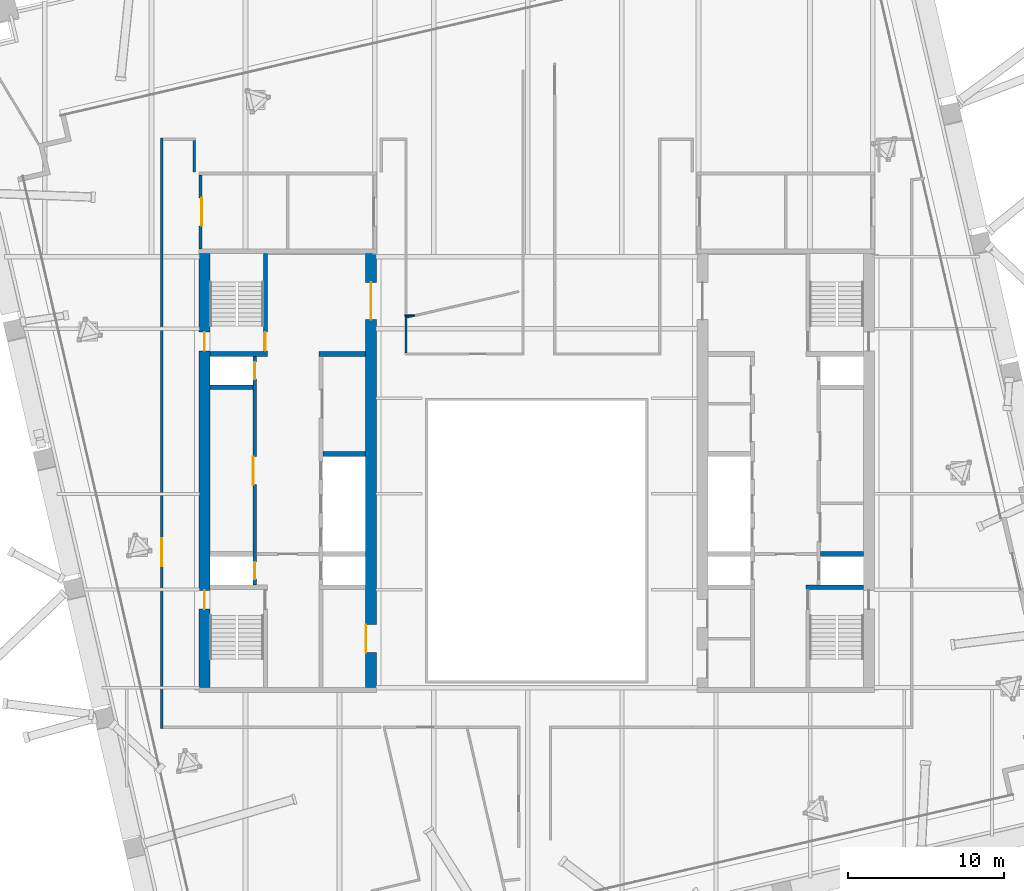
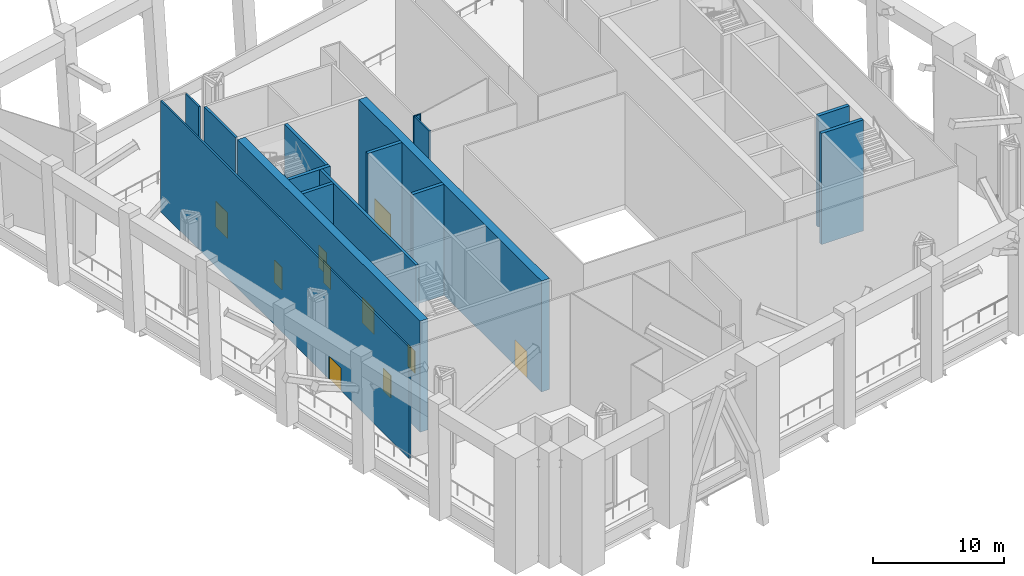
# One storey, part 17 of 25: 16 walls, 10 doors, 10 openings.
"""IFC4 building model written with IfcOpenShell, lengths in metres."""

from ifc_helpers import new_model, si_unit, direction, frame, frame_2d, origin, place, context, subcontext, project, spatial, rectangle, extrude, material, layer, layer_set, type_object, element, fill, save


model = new_model("IFC4")

# Units and contexts
model_context = context("Model", 3, precision=1e-05, world=origin(), true_north=direction((0.0, 1.0)))
body_context = subcontext(model_context, "Body", "Model", "MODEL_VIEW")
ifc_project = project(units=[si_unit("LENGTHUNIT", "METRE"), si_unit("AREAUNIT", "SQUARE_METRE"), si_unit("VOLUMEUNIT", "CUBIC_METRE"), si_unit("PLANEANGLEUNIT", "RADIAN"), si_unit("MASSUNIT", "GRAM", prefix="KILO")], contexts=[model_context])

# Site, building, storey
site_placement = place(None, origin())
site = spatial("IfcSite", under=ifc_project, at=site_placement, CompositionType="ELEMENT")
building_placement = place(site_placement, origin())
building = spatial("IfcBuilding", under=site, at=building_placement, Name="Ogive Exchange Tower", CompositionType="ELEMENT")
storey_placement = place(building_placement, frame((0.0, 0.0, 226.199951171875)))
storey = spatial("IfcBuildingStorey", under=building, at=storey_placement, Name="L50", CompositionType="ELEMENT", Elevation=226.199951171875)

# Wall
ifc_material_1 = material(Name="Gypsum board partition")
ifc_layer_1 = layer(ifc_material_1, 0.300048828125)
ifc_layer_set_1 = layer_set([ifc_layer_1], Name="Core room partition 300 gypsum")
wall_type_1 = type_object("IfcWallType", Name="Core room partition 300 gypsum", PredefinedType="PARTITIONING", material=ifc_layer_set_1)
wall_1_placement = place(storey_placement, frame((-14.0, 19.0, 0.0), z_axis=(0.0, 0.0, 1.0), x_axis=(1.0, 0.0, 0.0)))
element("IfcWall", 1, at=wall_1_placement, inside=storey, type_object=wall_type_1, Name="W row B room end wall 7", PredefinedType="PARTITIONING", context=body_context, shape_type="SweptSolid", body=[
    extrude(rectangle(XDim=3.0, YDim=0.300048828125, at=frame_2d((1.5, 0.0))), origin(), (0.0, 0.0, 1.0), 10.35009765625),
])

# Wall, opening, door
ifc_material_2 = material(Name="Fire partition EI 60 150")
ifc_layer_2 = layer(ifc_material_2, 0.14990234375)
ifc_layer_set_2 = layer_set([ifc_layer_2], Name="Fire partition EI 60 150")
wall_type_2 = type_object("IfcWallType", Name="Fire partition EI 60 150", PredefinedType="PARTITIONING", material=ifc_layer_set_2)
wall_2_placement = place(storey_placement, frame((-24.10009765625, -5.074951171875, 0.0), z_axis=(0.0, 0.0, 1.0), x_axis=(0.0, 1.0, 0.0)))
wall_2 = element("IfcWall", 2, at=wall_2_placement, inside=storey, type_object=wall_type_2, Name="L50-PWL-001", PredefinedType="PARTITIONING", context=body_context, shape_type="SweptSolid", body=[
    extrude(rectangle(XDim=37.949951171875, YDim=0.14990234375, at=frame_2d((18.97509765625, 0.0))), origin(), (0.0, 0.0, 1.0), 10.35009765625),
])
opening_1_placement = place(wall_2_placement, frame((10.425048828125, 0.0, 0.0)))
opening_1 = element("IfcOpeningElement", 3, at=opening_1_placement, cuts=wall_2, Name="Opening L50-I02", PredefinedType="OPENING", context=body_context, shape_type="SweptSolid", body=[
    extrude(rectangle(XDim=1.800048828125, YDim=2.10009765625, at=frame_2d((0.89990234375, 1.050048828125))), frame((0.0, 0.0849609375, 0.0), z_axis=(0.0, -1.0, 0.0), x_axis=(1.0, 0.0, 0.0)), (0.0, 0.0, 1.0), 0.169921875),
])
ifc_material_3 = material(Name="Fire door FD 30S 1800 x 2100")
door_type_1 = type_object("IfcDoorType", Name="Fire door FD 30S 1800 x 2100", OperationType="DOUBLE_DOOR_SINGLE_SWING", PredefinedType="DOOR", material=ifc_material_3)
door_1_placement = place(opening_1_placement, origin())
door_1 = element("IfcDoor", 4, at=door_1_placement, inside=storey, type_object=door_type_1, Name="L50-IDR-002", ObjectType="DT4", OperationType="SINGLE_SWING_RIGHT", OverallHeight=2.10009765625, OverallWidth=1.800048828125, PredefinedType="DOOR", context=body_context, shape_type="SweptSolid", body=[
    extrude(rectangle(XDim=1.800048828125, YDim=2.10009765625, at=frame_2d((0.89990234375, 1.050048828125))), frame((0.0, 0.02490234375, 0.0), z_axis=(0.0, -1.0, 0.0), x_axis=(1.0, 0.0, 0.0)), (0.0, 0.0, 1.0), 0.050048828125),
])
fill(opening_1, door_1)

# Walls
wall_3_placement = place(storey_placement, frame((-22.0, 32.72509765625, 0.0), z_axis=(0.0, 0.0, 1.0), x_axis=(0.0, -1.0, 0.0)))
element("IfcWall", 5, at=wall_3_placement, inside=storey, type_object=wall_type_2, Name="L50-PWL-003", PredefinedType="PARTITIONING", context=body_context, shape_type="SweptSolid", body=[
    extrude(rectangle(XDim=2.025146484375, YDim=0.14990234375, at=frame_2d((1.0126953125, 0.0))), origin(), (0.0, 0.0, 1.0), 10.35009765625),
])
wall_4_placement = place(storey_placement, frame((-8.39990234375, 21.39990234375, 0.0), z_axis=(0.0, 0.0, 1.0), x_axis=(0.0, -1.0, 0.0)))
element("IfcWall", 6, at=wall_4_placement, inside=storey, type_object=wall_type_2, Name="L50-PWL-011", PredefinedType="PARTITIONING", context=body_context, shape_type="SweptSolid", body=[
    extrude(rectangle(XDim=2.324951171875, YDim=0.14990234375, at=frame_2d((1.16259765625, 0.0))), origin(), (0.0, 0.0, 1.0), 10.35009765625),
])
ifc_material_4 = material(Name="Partition 100 gypsum")
ifc_layer_3 = layer(ifc_material_4, 0.10009765625)
ifc_layer_set_3 = layer_set([ifc_layer_3], Name="Partition 100 gypsum")
wall_type_3 = type_object("IfcWallType", Name="Partition 100 gypsum", PredefinedType="PARTITIONING", material=ifc_layer_set_3)
wall_5_placement = place(storey_placement, frame((-8.47509765625, 21.4599609375, 0.0), z_axis=(0.0, 0.0, 1.0), x_axis=(1.0, 0.0, 0.0)))
element("IfcWall", 7, at=wall_5_placement, inside=storey, type_object=wall_type_3, Name="L50-PWL-012", PredefinedType="PARTITIONING", context=body_context, shape_type="SweptSolid", body=[
    extrude(rectangle(XDim=0.625, YDim=0.10009765625, at=frame_2d((0.3125, 0.0))), origin(), (0.0, 0.0, 1.0), 10.35009765625),
])
wall_6_placement = place(storey_placement, frame((-7.948974609375, 21.448974609375, 0.0), z_axis=(0.0, 0.0, 1.0), x_axis=(-0.976718553607, -0.214524746916, 0.0)))
element("IfcWall", 8, at=wall_6_placement, inside=storey, type_object=wall_type_3, Name="L50-PWL-014", PredefinedType="PARTITIONING", context=body_context, shape_type="SweptSolid", body=[
    extrude(rectangle(XDim=0.386962890625, YDim=0.10009765625, at=frame_2d((0.193359375, 0.0))), origin(), (0.0, 0.0, 1.0), 10.35009765625),
])

# Wall, opening, door
ifc_material_5 = material(Name="Concrete C70/85", Category="concrete")
ifc_layer_4 = layer(ifc_material_5, 0.199951171875)
ifc_layer_set_4 = layer_set([ifc_layer_4], Name="RC core wall 200 C70/85")
wall_type_4 = type_object("IfcWallType", Name="RC core wall 200 C70/85", PredefinedType="SHEAR", material=ifc_layer_set_4)
wall_7_placement = place(storey_placement, frame((-21.60009765625, 25.75, 0.0), z_axis=(0.0, 0.0, 1.0), x_axis=(0.0, 1.0, 0.0)))
wall_7 = element("IfcWall", 9, at=wall_7_placement, inside=storey, type_object=wall_type_4, Name="W annex N outer wall", PredefinedType="SHEAR", context=body_context, shape_type="SweptSolid", body=[
    extrude(rectangle(XDim=4.75, YDim=0.199951171875, at=frame_2d((2.375, 0.0))), origin(), (0.0, 0.0, 1.0), 10.35009765625),
])
opening_2_placement = place(wall_7_placement, frame((1.47509765625, 0.0, 0.0)))
opening_2 = element("IfcOpeningElement", 10, at=opening_2_placement, cuts=wall_7, Name="Opening L50-C16", PredefinedType="OPENING", context=body_context, shape_type="SweptSolid", body=[
    extrude(rectangle(XDim=1.800048828125, YDim=2.39990234375, at=frame_2d((0.89990234375, 1.199951171875))), frame((0.0, 0.10986328125, 0.0), z_axis=(0.0, -1.0, 0.0), x_axis=(1.0, 0.0, 0.0)), (0.0, 0.0, 1.0), 0.219970703125),
])
ifc_material_6 = material(Name="Steel fire door", Category="steel")
door_type_2 = type_object("IfcDoorType", Name="Plant room door FD60 1800 x 2400", OperationType="DOUBLE_DOOR_SINGLE_SWING", PredefinedType="DOOR", material=ifc_material_6)
door_2_placement = place(opening_2_placement, frame((1.800048828125, -0.14990234375, 0.0), z_axis=(0.0, 0.0, 1.0), x_axis=(-1.0, 0.0, 0.0)))
door_2 = element("IfcDoor", 11, at=door_2_placement, inside=storey, type_object=door_type_2, Name="Plant room door", ObjectType="CD1", OperationType="DOUBLE_DOOR_SINGLE_SWING", OverallHeight=2.39990234375, OverallWidth=1.800048828125, PredefinedType="DOOR", context=body_context, shape_type="SweptSolid", body=[
    extrude(rectangle(XDim=1.800048828125, YDim=2.39990234375, at=frame_2d((0.89990234375, 1.199951171875))), frame((0.0, -0.0498046875, 0.0), z_axis=(0.0, -1.0, 0.0), x_axis=(1.0, 0.0, 0.0)), (0.0, 0.0, 1.0), 0.050048828125),
])
fill(opening_2, door_2)

ifc_layer_5 = layer(ifc_material_5, 0.25)
ifc_layer_set_5 = layer_set([ifc_layer_5], Name="RC core wall 250 C70/85")
wall_type_5 = type_object("IfcWallType", Name="RC core wall 250 C70/85", PredefinedType="SHEAR", material=ifc_layer_set_5)
wall_8_placement = place(storey_placement, frame((-17.425048828125, 19.14990234375, 0.0), z_axis=(0.0, 0.0, 1.0), x_axis=(0.0, 1.0, 0.0)))
wall_8 = element("IfcWall", 12, at=wall_8_placement, inside=storey, type_object=wall_type_5, Name="W stair N front wall", PredefinedType="SHEAR", context=body_context, shape_type="SweptSolid", body=[
    extrude(rectangle(XDim=6.300048828125, YDim=0.25, at=frame_2d((3.14990234375, 0.0))), origin(), (0.0, 0.0, 1.0), 10.35009765625),
])
opening_3_placement = place(wall_8_placement, frame((0.050048828125, 0.0, 0.0)))
opening_3 = element("IfcOpeningElement", 13, at=opening_3_placement, cuts=wall_8, Name="Opening L50-C13", PredefinedType="OPENING", context=body_context, shape_type="SweptSolid", body=[
    extrude(rectangle(XDim=1.199951171875, YDim=2.10009765625, at=frame_2d((0.60009765625, 1.050048828125))), frame((0.0, 0.135009765625, 0.0), z_axis=(0.0, -1.0, 0.0), x_axis=(1.0, 0.0, 0.0)), (0.0, 0.0, 1.0), 0.27001953125),
])
door_type_3 = type_object("IfcDoorType", Name="Stair door FD90 1200 x 2100", OperationType="NOTDEFINED", PredefinedType="DOOR", material=ifc_material_6)
door_3_placement = place(opening_3_placement, origin())
door_3 = element("IfcDoor", 14, at=door_3_placement, inside=storey, type_object=door_type_3, Name="Stair door", ObjectType="CD5", OperationType="SINGLE_SWING_RIGHT", OverallHeight=2.10009765625, OverallWidth=1.199951171875, PredefinedType="DOOR", context=body_context, shape_type="SweptSolid", body=[
    extrude(rectangle(XDim=1.199951171875, YDim=2.10009765625, at=frame_2d((0.60009765625, 1.050048828125))), frame((0.0, 0.02490234375, 0.0), z_axis=(0.0, -1.0, 0.0), x_axis=(1.0, 0.0, 0.0)), (0.0, 0.0, 1.0), 0.050048828125),
])
fill(opening_3, door_3)

# Wall, openings, doors
wall_9_placement = place(storey_placement, frame((-18.125, 4.14990234375, 0.0), z_axis=(0.0, 0.0, 1.0), x_axis=(0.0, 1.0, 0.0)))
wall_9 = element("IfcWall", 15, at=wall_9_placement, inside=storey, type_object=wall_type_5, Name="W row A front wall", PredefinedType="SHEAR", context=body_context, shape_type="SweptSolid", body=[
    extrude(rectangle(XDim=14.7001953125, YDim=0.25, at=frame_2d((7.35009765625, 0.0))), origin(), (0.0, 0.0, 1.0), 10.35009765625),
])
opening_4_placement = place(wall_9_placement, frame((6.449951171875, 0.0, 0.0)))
opening_4 = element("IfcOpeningElement", 16, at=opening_4_placement, cuts=wall_9, Name="Opening L50-C01", PredefinedType="OPENING", context=body_context, shape_type="SweptSolid", body=[
    extrude(rectangle(XDim=1.800048828125, YDim=2.39990234375, at=frame_2d((0.89990234375, 1.199951171875))), frame((0.0, 0.135009765625, 0.0), z_axis=(0.0, -1.0, 0.0), x_axis=(1.0, 0.0, 0.0)), (0.0, 0.0, 1.0), 0.27001953125),
])
opening_5_placement = place(wall_9_placement, frame((0.371337890625, 0.0, 0.0)))
opening_5 = element("IfcOpeningElement", 17, at=opening_5_placement, cuts=wall_9, Name="Opening L50-C02", PredefinedType="OPENING", context=body_context, shape_type="SweptSolid", body=[
    extrude(rectangle(XDim=1.10009765625, YDim=2.10009765625, at=frame_2d((0.550048828125, 1.050048828125))), frame((0.0, 0.135009765625, 0.0), z_axis=(0.0, -1.0, 0.0), x_axis=(1.0, 0.0, 0.0)), (0.0, 0.0, 1.0), 0.27001953125),
])
opening_6_placement = place(wall_9_placement, frame((13.228515625, 0.0, 0.0)))
opening_6 = element("IfcOpeningElement", 18, at=opening_6_placement, cuts=wall_9, Name="Opening L50-C03", PredefinedType="OPENING", context=body_context, shape_type="SweptSolid", body=[
    extrude(rectangle(XDim=1.10009765625, YDim=2.10009765625, at=frame_2d((0.550048828125, 1.050048828125))), frame((0.0, 0.135009765625, 0.0), z_axis=(0.0, -1.0, 0.0), x_axis=(1.0, 0.0, 0.0)), (0.0, 0.0, 1.0), 0.27001953125),
])
ifc_material_7 = material(Name="Stainless steel", Category="steel")
door_type_4 = type_object("IfcDoorType", Name="Lift landing door FD90 1100 x 2100", OperationType="SLIDING_TO_LEFT", PredefinedType="DOOR", material=ifc_material_7)
door_4_placement = place(opening_5_placement, origin())
door_4 = element("IfcDoor", 19, at=door_4_placement, inside=storey, type_object=door_type_4, Name="Lift landing door FF1", ObjectType="LD", OperationType="SLIDING_TO_LEFT", OverallHeight=2.10009765625, OverallWidth=1.10009765625, PredefinedType="DOOR", context=body_context, shape_type="SweptSolid", body=[
    extrude(rectangle(XDim=1.10009765625, YDim=2.10009765625, at=frame_2d((0.550048828125, 1.050048828125))), frame((0.0, 0.02490234375, 0.0), z_axis=(0.0, -1.0, 0.0), x_axis=(1.0, 0.0, 0.0)), (0.0, 0.0, 1.0), 0.050048828125),
])
fill(opening_5, door_4)
door_5_placement = place(opening_6_placement, origin())
door_5 = element("IfcDoor", 20, at=door_5_placement, inside=storey, type_object=door_type_4, Name="Lift landing door W-SH2", ObjectType="LD", OperationType="SLIDING_TO_LEFT", OverallHeight=2.10009765625, OverallWidth=1.10009765625, PredefinedType="DOOR", context=body_context, shape_type="SweptSolid", body=[
    extrude(rectangle(XDim=1.10009765625, YDim=2.10009765625, at=frame_2d((0.550048828125, 1.050048828125))), frame((0.0, 0.02490234375, 0.0), z_axis=(0.0, -1.0, 0.0), x_axis=(1.0, 0.0, 0.0)), (0.0, 0.0, 1.0), 0.050048828125),
])
fill(opening_6, door_5)
door_6_placement = place(opening_4_placement, origin())
door_6 = element("IfcDoor", 21, at=door_6_placement, inside=storey, type_object=door_type_2, Name="Plant room door", ObjectType="CD1", OperationType="DOUBLE_DOOR_SINGLE_SWING", OverallHeight=2.39990234375, OverallWidth=1.800048828125, PredefinedType="DOOR", context=body_context, shape_type="SweptSolid", body=[
    extrude(rectangle(XDim=1.800048828125, YDim=2.39990234375, at=frame_2d((0.89990234375, 1.199951171875))), frame((0.0, 0.125, 0.0), z_axis=(0.0, -1.0, 0.0), x_axis=(1.0, 0.0, 0.0)), (0.0, 0.0, 1.0), 0.050048828125),
])
fill(opening_4, door_6)

# Walls
ifc_layer_6 = layer(ifc_material_5, 0.300048828125)
ifc_layer_set_6 = layer_set([ifc_layer_6], Name="RC core wall 300 C70/85")
wall_type_6 = type_object("IfcWallType", Name="RC core wall 300 C70/85", PredefinedType="SHEAR", material=ifc_layer_set_6)
wall_10_placement = place(storey_placement, frame((-21.0, 19.0, 0.0), z_axis=(0.0, 0.0, 1.0), x_axis=(1.0, 0.0, 0.0)))
element("IfcWall", 22, at=wall_10_placement, inside=storey, type_object=wall_type_6, Name="W stair N south wall", PredefinedType="SHEAR", context=body_context, shape_type="SweptSolid", body=[
    extrude(rectangle(XDim=3.699951171875, YDim=0.300048828125, at=frame_2d((1.85009765625, 0.0))), origin(), (0.0, 0.0, 1.0), 10.35009765625),
])
for number, where, z_axis, x_axis, name in (
    (23, (-21.0, 16.857177734375, 0.0), (0.0, 0.0, 1.0), (1.0, 0.0, 0.0), "W row A divider 6"),
    (24, (-13.75, 12.5712890625, 0.0), (0.0, 0.0, 1.0), (1.0, 0.0, 0.0), "W row B divider 4"),
):
    element("IfcWall", number, at=place(storey_placement, frame(where, z_axis=z_axis, x_axis=x_axis)), inside=storey, type_object=wall_type_6, Name=name, PredefinedType="SHEAR", context=body_context, shape_type="SweptSolid", body=[
        extrude(rectangle(XDim=2.75, YDim=0.300048828125, at=frame_2d((1.375, 0.0))), origin(), (0.0, 0.0, 1.0), 10.35009765625),
    ])
wall_11_placement = place(storey_placement, frame((17.300048828125, 4.0, 0.0), z_axis=(0.0, 0.0, 1.0), x_axis=(1.0, 0.0, 0.0)))
element("IfcWall", 25, at=wall_11_placement, inside=storey, type_object=wall_type_6, Name="E stair S north wall", PredefinedType="SHEAR", context=body_context, shape_type="SweptSolid", body=[
    extrude(rectangle(XDim=3.699951171875, YDim=0.300048828125, at=frame_2d((1.85009765625, 0.0))), origin(), (0.0, 0.0, 1.0), 10.35009765625),
])
wall_12_placement = place(storey_placement, frame((18.25, 6.142822265625, 0.0), z_axis=(0.0, 0.0, 1.0), x_axis=(1.0, 0.0, 0.0)))
element("IfcWall", 26, at=wall_12_placement, inside=storey, type_object=wall_type_6, Name="E row A divider 1", PredefinedType="SHEAR", context=body_context, shape_type="SweptSolid", body=[
    extrude(rectangle(XDim=2.75, YDim=0.300048828125, at=frame_2d((1.375, 0.0))), origin(), (0.0, 0.0, 1.0), 10.35009765625),
])

# Wall, openings, doors
ifc_layer_7 = layer(ifc_material_5, 0.699951171875)
ifc_layer_set_7 = layer_set([ifc_layer_7], Name="RC core wall 700 C70/85")
wall_type_7 = type_object("IfcWallType", Name="RC core wall 700 C70/85", PredefinedType="SHEAR", material=ifc_layer_set_7)
wall_13_placement = place(storey_placement, frame((-21.35009765625, -2.449951171875, 0.0), z_axis=(0.0, 0.0, 1.0), x_axis=(0.0, 1.0, 0.0)))
wall_13 = element("IfcWall", 27, at=wall_13_placement, inside=storey, type_object=wall_type_7, Name="W outer wall", PredefinedType="SHEAR", context=body_context, shape_type="SweptSolid", body=[
    extrude(rectangle(XDim=27.89990234375, YDim=0.699951171875, at=frame_2d((13.949951171875, 0.0))), origin(), (0.0, 0.0, 1.0), 10.35009765625),
])
opening_7_placement = place(wall_13_placement, frame((5.050048828125, 0.0, 0.0)))
opening_7 = element("IfcOpeningElement", 28, at=opening_7_placement, cuts=wall_13, Name="Opening L50-C12", PredefinedType="OPENING", context=body_context, shape_type="SweptSolid", body=[
    extrude(rectangle(XDim=1.199951171875, YDim=2.10009765625, at=frame_2d((0.60009765625, 1.050048828125))), frame((0.0, 0.35986328125, 0.0), z_axis=(0.0, -1.0, 0.0), x_axis=(1.0, 0.0, 0.0)), (0.0, 0.0, 1.0), 0.719970703125),
])
opening_8_placement = place(wall_13_placement, frame((21.64990234375, 0.0, 0.0)))
opening_8 = element("IfcOpeningElement", 29, at=opening_8_placement, cuts=wall_13, Name="Opening L50-C14", PredefinedType="OPENING", context=body_context, shape_type="SweptSolid", body=[
    extrude(rectangle(XDim=1.199951171875, YDim=2.10009765625, at=frame_2d((0.60009765625, 1.050048828125))), frame((0.0, 0.35986328125, 0.0), z_axis=(0.0, -1.0, 0.0), x_axis=(1.0, 0.0, 0.0)), (0.0, 0.0, 1.0), 0.719970703125),
])
door_7_placement = place(opening_7_placement, frame((1.199951171875, 0.0, 0.0), z_axis=(0.0, 0.0, 1.0), x_axis=(-1.0, 0.0, 0.0)))
door_7 = element("IfcDoor", 30, at=door_7_placement, inside=storey, type_object=door_type_3, Name="Stair door", ObjectType="CD5", OperationType="SINGLE_SWING_RIGHT", OverallHeight=2.10009765625, OverallWidth=1.199951171875, PredefinedType="DOOR", context=body_context, shape_type="SweptSolid", body=[
    extrude(rectangle(XDim=1.199951171875, YDim=2.10009765625, at=frame_2d((0.60009765625, 1.050048828125))), frame((0.0, 0.02490234375, 0.0), z_axis=(0.0, -1.0, 0.0), x_axis=(1.0, 0.0, 0.0)), (0.0, 0.0, 1.0), 0.050048828125),
])
fill(opening_7, door_7)
door_8_placement = place(opening_8_placement, frame((1.199951171875, 0.0, 0.0), z_axis=(0.0, 0.0, 1.0), x_axis=(-1.0, 0.0, 0.0)))
door_8 = element("IfcDoor", 31, at=door_8_placement, inside=storey, type_object=door_type_3, Name="Stair door", ObjectType="CD5", OperationType="SINGLE_SWING_LEFT", OverallHeight=2.10009765625, OverallWidth=1.199951171875, PredefinedType="DOOR", context=body_context, shape_type="SweptSolid", body=[
    extrude(rectangle(XDim=1.199951171875, YDim=2.10009765625, at=frame_2d((0.60009765625, 1.050048828125))), frame((0.0, 0.02490234375, 0.0), z_axis=(0.0, -1.0, 0.0), x_axis=(1.0, 0.0, 0.0)), (0.0, 0.0, 1.0), 0.050048828125),
])
fill(opening_8, door_8)

wall_14_placement = place(storey_placement, frame((-10.64990234375, -2.449951171875, 0.0), z_axis=(0.0, 0.0, 1.0), x_axis=(0.0, 1.0, 0.0)))
wall_14 = element("IfcWall", 32, at=wall_14_placement, inside=storey, type_object=wall_type_7, Name="W inner wall", PredefinedType="SHEAR", context=body_context, shape_type="SweptSolid", body=[
    extrude(rectangle(XDim=27.89990234375, YDim=0.699951171875, at=frame_2d((13.949951171875, 0.0))), origin(), (0.0, 0.0, 1.0), 10.35009765625),
])
opening_9_placement = place(wall_14_placement, frame((23.64990234375, 0.0, 0.0)))
opening_9 = element("IfcOpeningElement", 33, at=opening_9_placement, cuts=wall_14, Name="Opening L50-C10", PredefinedType="OPENING", context=body_context, shape_type="SweptSolid", body=[
    extrude(rectangle(XDim=2.39990234375, YDim=2.10009765625, at=frame_2d((1.199951171875, 1.050048828125))), frame((0.0, 0.35986328125, 0.0), z_axis=(0.0, -1.0, 0.0), x_axis=(1.0, 0.0, 0.0)), (0.0, 0.0, 1.0), 0.719970703125),
])
opening_10_placement = place(wall_14_placement, frame((2.25, 0.0, 0.0)))
opening_10 = element("IfcOpeningElement", 34, at=opening_10_placement, cuts=wall_14, Name="Opening L50-C15", PredefinedType="OPENING", context=body_context, shape_type="SweptSolid", body=[
    extrude(rectangle(XDim=1.800048828125, YDim=2.39990234375, at=frame_2d((0.89990234375, 1.199951171875))), frame((0.0, 0.35986328125, 0.0), z_axis=(0.0, -1.0, 0.0), x_axis=(1.0, 0.0, 0.0)), (0.0, 0.0, 1.0), 0.719970703125),
])
ifc_material_8 = material(Name="Glazed steel fire door", Category="steel")
door_type_5 = type_object("IfcDoorType", Name="Lift lobby double door FD60 2400 x 2100", OperationType="DOUBLE_DOOR_SINGLE_SWING", PredefinedType="DOOR", material=ifc_material_8)
door_9_placement = place(opening_9_placement, frame((2.39990234375, 0.0, 0.0), z_axis=(0.0, 0.0, 1.0), x_axis=(-1.0, 0.0, 0.0)))
door_9 = element("IfcDoor", 35, at=door_9_placement, inside=storey, type_object=door_type_5, Name="Lift lobby double door", ObjectType="CD4", OperationType="DOUBLE_DOOR_SINGLE_SWING", OverallHeight=2.10009765625, OverallWidth=2.39990234375, PredefinedType="DOOR", context=body_context, shape_type="SweptSolid", body=[
    extrude(rectangle(XDim=2.39990234375, YDim=2.10009765625, at=frame_2d((1.199951171875, 1.050048828125))), frame((0.0, 0.02490234375, 0.0), z_axis=(0.0, -1.0, 0.0), x_axis=(1.0, 0.0, 0.0)), (0.0, 0.0, 1.0), 0.050048828125),
])
fill(opening_9, door_9)
door_10_placement = place(opening_10_placement, origin())
door_10 = element("IfcDoor", 36, at=door_10_placement, inside=storey, type_object=door_type_2, Name="Plant room door", ObjectType="CD1", OperationType="DOUBLE_DOOR_SINGLE_SWING", OverallHeight=2.39990234375, OverallWidth=1.800048828125, PredefinedType="DOOR", context=body_context, shape_type="SweptSolid", body=[
    extrude(rectangle(XDim=1.800048828125, YDim=2.39990234375, at=frame_2d((0.89990234375, 1.199951171875))), frame((0.0, 0.35009765625, 0.0), z_axis=(0.0, -1.0, 0.0), x_axis=(1.0, 0.0, 0.0)), (0.0, 0.0, 1.0), 0.050048828125),
])
fill(opening_10, door_10)

save(model, "model.ifc")
